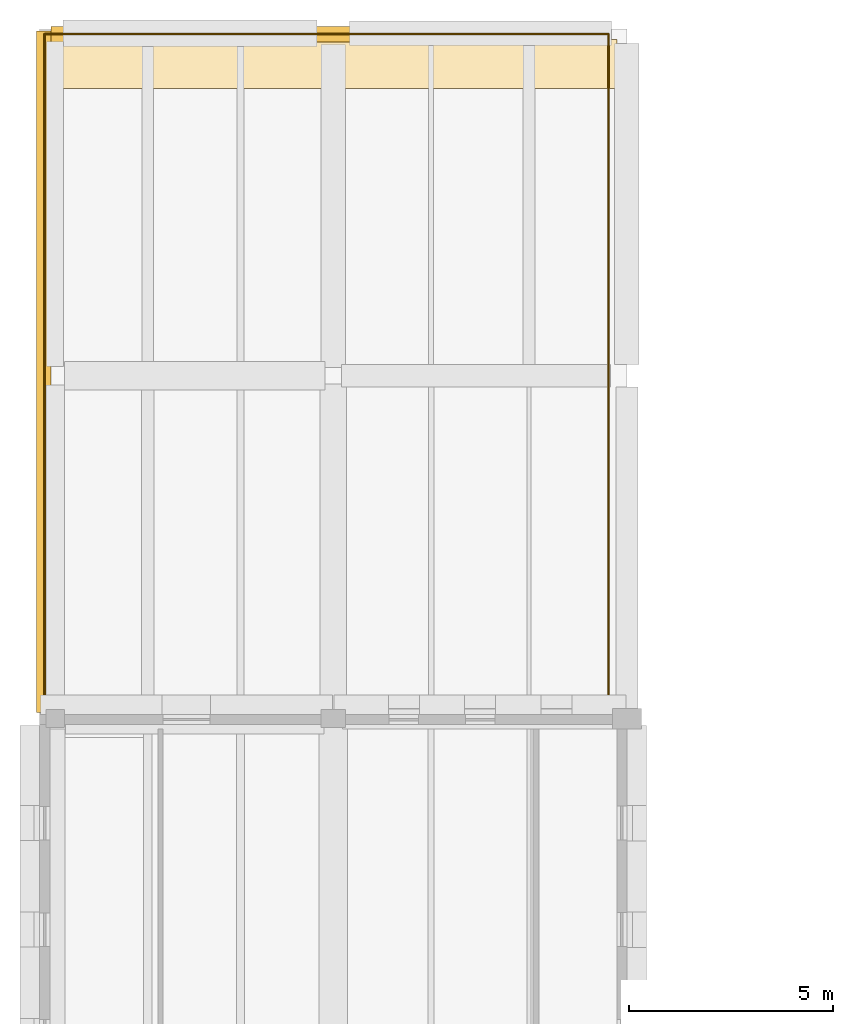
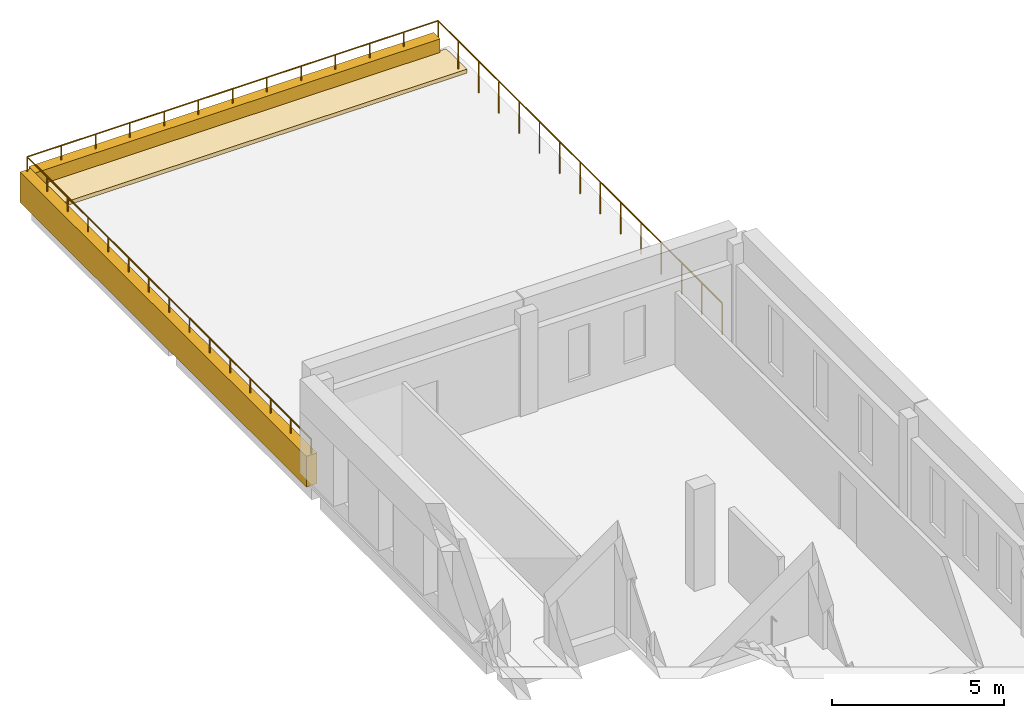
# One storey, part 8 of 8: 3 coverings, 1 railing.
"""IFC4 building model written with IfcOpenShell, lengths in metres."""

from ifc_helpers import new_model, si_unit, direction, frame, origin, origin_2d, place, context, subcontext, project, spatial, polyline, circle, outline, extrude, material, layer, layer_set, type_object, element, save


model = new_model("IFC4")

# Units and contexts
model_context = context("Model", 3, precision=1e-05, world=origin(), true_north=direction((0.0, 1.0)))
body_context = subcontext(model_context, "Body", "Model", "MODEL_VIEW")
ifc_project = project(units=[si_unit("LENGTHUNIT", "METRE"), si_unit("AREAUNIT", "SQUARE_METRE"), si_unit("VOLUMEUNIT", "CUBIC_METRE"), si_unit("PLANEANGLEUNIT", "RADIAN"), si_unit("MASSUNIT", "GRAM", prefix="KILO")], contexts=[model_context])

# Site, building, storey
site_placement = place(None, origin())
site = spatial("IfcSite", under=ifc_project, at=site_placement, CompositionType="ELEMENT")
building_placement = place(site_placement, origin())
building = spatial("IfcBuilding", under=site, at=building_placement, Name="Vardoun Plaza Health Centre", CompositionType="ELEMENT")
storey_placement = place(building_placement, frame((0.0, 0.0, 21.14990234375)))
storey = spatial("IfcBuildingStorey", under=building, at=storey_placement, Name="L05", CompositionType="ELEMENT", Elevation=21.14990234375)

# Coverings
ifc_material_1 = material(Name="Pale Limestone Concrete C35/45", Category="masonry")
ifc_layer_1 = layer(ifc_material_1, 0.080078125)
ifc_layer_set_1 = layer_set([ifc_layer_1], Name="Pale Limestone Concrete C35/45")
covering_type_1 = type_object("IfcCoveringType", Name="CL-EXT1", PredefinedType="CLADDING", material=ifc_layer_set_1)
covering_1_placement = place(storey_placement, frame((0.0, 0.0, -0.27978515625)))
element("IfcCovering", 1, at=covering_1_placement, inside=storey, type_object=covering_type_1, Name="V2 L05 Sculpted White Terrace Planter Ribbon W1", PredefinedType="CLADDING", context=body_context, shape_type="SweptSolid", body=[
    extrude(outline(polyline([(4.419921875, 36.449951171875), (4.780029296875, 36.449951171875), (4.780029296875, 53.14990234375), (4.419921875, 53.14990234375), (4.419921875, 36.449951171875)])), origin(), (0.0, 0.0, 1.0), 1.08984375),
])
covering_2_placement = place(storey_placement, frame((0.0, 0.0, -0.27978515625)))
element("IfcCovering", 2, at=covering_2_placement, inside=storey, type_object=covering_type_1, Name="V2 L05 Sculpted White Terrace Planter Ribbon N1", PredefinedType="CLADDING", context=body_context, shape_type="SweptSolid", body=[
    extrude(outline(polyline([(4.780029296875, 52.8798828125), (18.39990234375, 52.8798828125), (18.39990234375, 53.260009765625), (4.780029296875, 53.260009765625), (4.780029296875, 52.8798828125)])), origin(), (0.0, 0.0, 1.0), 1.08984375),
])
ifc_material_2 = material(Name="Planted Mediterranean Garden Substrate", Category="wood")
ifc_layer_2 = layer(ifc_material_2, 0.139892578125)
ifc_layer_set_2 = layer_set([ifc_layer_2], Name="Planted Mediterranean Garden Substrate")
covering_type_2 = type_object("IfcCoveringType", Name="CV-G1", PredefinedType="ROOFING", material=ifc_layer_set_2)
covering_3_placement = place(storey_placement, frame((0.0, 0.0, 0.190185546875)))
element("IfcCovering", 3, at=covering_3_placement, inside=storey, type_object=covering_type_2, Name="V2 L05 Garden Planter Bed 1", PredefinedType="ROOFING", context=body_context, shape_type="SweptSolid", body=[
    extrude(outline(polyline([(4.75, 51.75), (18.64990234375, 51.75), (18.64990234375, 52.949951171875), (4.75, 52.949951171875), (4.75, 51.75)])), origin(), (0.0, 0.0, 1.0), 0.139892578125),
])

# Railing
ifc_material_3 = material(Name="Galvanised Steel S275JR and Laminated Glass", Category="steel")
railing_type = type_object("IfcRailingType", Name="GR-01", PredefinedType="BALUSTRADE", material=ifc_material_3)
railing_placement = place(storey_placement, frame((4.6201171875, 36.52001953125, 0.190185546875)))
element("IfcRailing", 4, at=railing_placement, inside=storey, type_object=railing_type, Name="V2 L05 Terrace Balustrade 1", PredefinedType="BALUSTRADE", context=body_context, shape_type="SweptSolid", body=[
    extrude(circle(Radius=0.02392578125, at=origin_2d()), frame((0.0, 0.0, 1.1259765625), z_axis=(0.0, 1.0, 0.0), x_axis=(-1.0, 0.0, 0.0)), (0.0, 0.0, 1.0), 16.56005859375),
    extrude(circle(Radius=0.02392578125, at=origin_2d()), frame((0.0, 16.56005859375, 1.1259765625), z_axis=(1.0, 0.0, 0.0), x_axis=(0.0, 1.0, 0.0)), (0.0, 0.0, 1.0), 13.829833984375),
    extrude(circle(Radius=0.02392578125, at=origin_2d()), frame((13.829833984375, 16.56005859375, 1.1259765625), z_axis=(0.0, -1.0, 0.0), x_axis=(1.0, 0.0, 0.0)), (0.0, 0.0, 1.0), 16.56005859375),
    extrude(circle(Radius=0.02099609375, at=origin_2d()), origin(), (0.0, 0.0, 1.0), 1.101806640625),
    extrude(circle(Radius=0.02099609375, at=origin_2d()), frame((0.0, 1.182861328125, 0.0)), (0.0, 0.0, 1.0), 1.101806640625),
    extrude(circle(Radius=0.02099609375, at=origin_2d()), frame((0.0, 2.36572265625, 0.0)), (0.0, 0.0, 1.0), 1.101806640625),
    extrude(circle(Radius=0.02099609375, at=origin_2d()), frame((0.0, 3.548583984375, 0.0)), (0.0, 0.0, 1.0), 1.101806640625),
    extrude(circle(Radius=0.02099609375, at=origin_2d()), frame((0.0, 4.7314453125, 0.0)), (0.0, 0.0, 1.0), 1.101806640625),
    extrude(circle(Radius=0.02099609375, at=origin_2d()), frame((0.0, 5.914306640625, 0.0)), (0.0, 0.0, 1.0), 1.101806640625),
    extrude(circle(Radius=0.02099609375, at=origin_2d()), frame((0.0, 7.09716796875, 0.0)), (0.0, 0.0, 1.0), 1.101806640625),
    extrude(circle(Radius=0.02099609375, at=origin_2d()), frame((0.0, 8.280029296875, 0.0)), (0.0, 0.0, 1.0), 1.101806640625),
    extrude(circle(Radius=0.02099609375, at=origin_2d()), frame((0.0, 9.462890625, 0.0)), (0.0, 0.0, 1.0), 1.101806640625),
    extrude(circle(Radius=0.02099609375, at=origin_2d()), frame((0.0, 10.645751953125, 0.0)), (0.0, 0.0, 1.0), 1.101806640625),
    extrude(circle(Radius=0.02099609375, at=origin_2d()), frame((0.0, 11.82861328125, 0.0)), (0.0, 0.0, 1.0), 1.101806640625),
    extrude(circle(Radius=0.02099609375, at=origin_2d()), frame((0.0, 13.011474609375, 0.0)), (0.0, 0.0, 1.0), 1.101806640625),
    extrude(circle(Radius=0.02099609375, at=origin_2d()), frame((0.0, 14.1943359375, 0.0)), (0.0, 0.0, 1.0), 1.101806640625),
    extrude(circle(Radius=0.02099609375, at=origin_2d()), frame((0.0, 15.377197265625, 0.0)), (0.0, 0.0, 1.0), 1.101806640625),
    extrude(circle(Radius=0.02099609375, at=origin_2d()), frame((0.0, 16.56005859375, 0.0)), (0.0, 0.0, 1.0), 1.101806640625),
    extrude(circle(Radius=0.02099609375, at=origin_2d()), frame((1.152587890625, 16.56005859375, 0.0)), (0.0, 0.0, 1.0), 1.101806640625),
    extrude(circle(Radius=0.02099609375, at=origin_2d()), frame((2.304931640625, 16.56005859375, 0.0)), (0.0, 0.0, 1.0), 1.101806640625),
    extrude(circle(Radius=0.02099609375, at=origin_2d()), frame((3.45751953125, 16.56005859375, 0.0)), (0.0, 0.0, 1.0), 1.101806640625),
    extrude(circle(Radius=0.02099609375, at=origin_2d()), frame((4.60986328125, 16.56005859375, 0.0)), (0.0, 0.0, 1.0), 1.101806640625),
    extrude(circle(Radius=0.02099609375, at=origin_2d()), frame((5.762451171875, 16.56005859375, 0.0)), (0.0, 0.0, 1.0), 1.101806640625),
    extrude(circle(Radius=0.02099609375, at=origin_2d()), frame((6.9150390625, 16.56005859375, 0.0)), (0.0, 0.0, 1.0), 1.101806640625),
    extrude(circle(Radius=0.02099609375, at=origin_2d()), frame((8.0673828125, 16.56005859375, 0.0)), (0.0, 0.0, 1.0), 1.101806640625),
    extrude(circle(Radius=0.02099609375, at=origin_2d()), frame((9.219970703125, 16.56005859375, 0.0)), (0.0, 0.0, 1.0), 1.101806640625),
    extrude(circle(Radius=0.02099609375, at=origin_2d()), frame((10.372314453125, 16.56005859375, 0.0)), (0.0, 0.0, 1.0), 1.101806640625),
    extrude(circle(Radius=0.02099609375, at=origin_2d()), frame((11.52490234375, 16.56005859375, 0.0)), (0.0, 0.0, 1.0), 1.101806640625),
    extrude(circle(Radius=0.02099609375, at=origin_2d()), frame((12.67724609375, 16.56005859375, 0.0)), (0.0, 0.0, 1.0), 1.101806640625),
    extrude(circle(Radius=0.02099609375, at=origin_2d()), frame((13.829833984375, 16.56005859375, 0.0)), (0.0, 0.0, 1.0), 1.101806640625),
    extrude(circle(Radius=0.02099609375, at=origin_2d()), frame((13.829833984375, 15.377197265625, 0.0)), (0.0, 0.0, 1.0), 1.101806640625),
    extrude(circle(Radius=0.02099609375, at=origin_2d()), frame((13.829833984375, 14.1943359375, 0.0)), (0.0, 0.0, 1.0), 1.101806640625),
    extrude(circle(Radius=0.02099609375, at=origin_2d()), frame((13.829833984375, 13.011474609375, 0.0)), (0.0, 0.0, 1.0), 1.101806640625),
    extrude(circle(Radius=0.02099609375, at=origin_2d()), frame((13.829833984375, 11.82861328125, 0.0)), (0.0, 0.0, 1.0), 1.101806640625),
    extrude(circle(Radius=0.02099609375, at=origin_2d()), frame((13.829833984375, 10.645751953125, 0.0)), (0.0, 0.0, 1.0), 1.101806640625),
    extrude(circle(Radius=0.02099609375, at=origin_2d()), frame((13.829833984375, 9.462890625, 0.0)), (0.0, 0.0, 1.0), 1.101806640625),
    extrude(circle(Radius=0.02099609375, at=origin_2d()), frame((13.829833984375, 8.280029296875, 0.0)), (0.0, 0.0, 1.0), 1.101806640625),
    extrude(circle(Radius=0.02099609375, at=origin_2d()), frame((13.829833984375, 7.09716796875, 0.0)), (0.0, 0.0, 1.0), 1.101806640625),
    extrude(circle(Radius=0.02099609375, at=origin_2d()), frame((13.829833984375, 5.914306640625, 0.0)), (0.0, 0.0, 1.0), 1.101806640625),
    extrude(circle(Radius=0.02099609375, at=origin_2d()), frame((13.829833984375, 4.7314453125, 0.0)), (0.0, 0.0, 1.0), 1.101806640625),
    extrude(circle(Radius=0.02099609375, at=origin_2d()), frame((13.829833984375, 3.548583984375, 0.0)), (0.0, 0.0, 1.0), 1.101806640625),
    extrude(circle(Radius=0.02099609375, at=origin_2d()), frame((13.829833984375, 2.36572265625, 0.0)), (0.0, 0.0, 1.0), 1.101806640625),
    extrude(circle(Radius=0.02099609375, at=origin_2d()), frame((13.829833984375, 1.182861328125, 0.0)), (0.0, 0.0, 1.0), 1.101806640625),
    extrude(circle(Radius=0.02099609375, at=origin_2d()), frame((13.829833984375, 0.0, 0.0)), (0.0, 0.0, 1.0), 1.101806640625),
])

save(model, "model.ifc")
